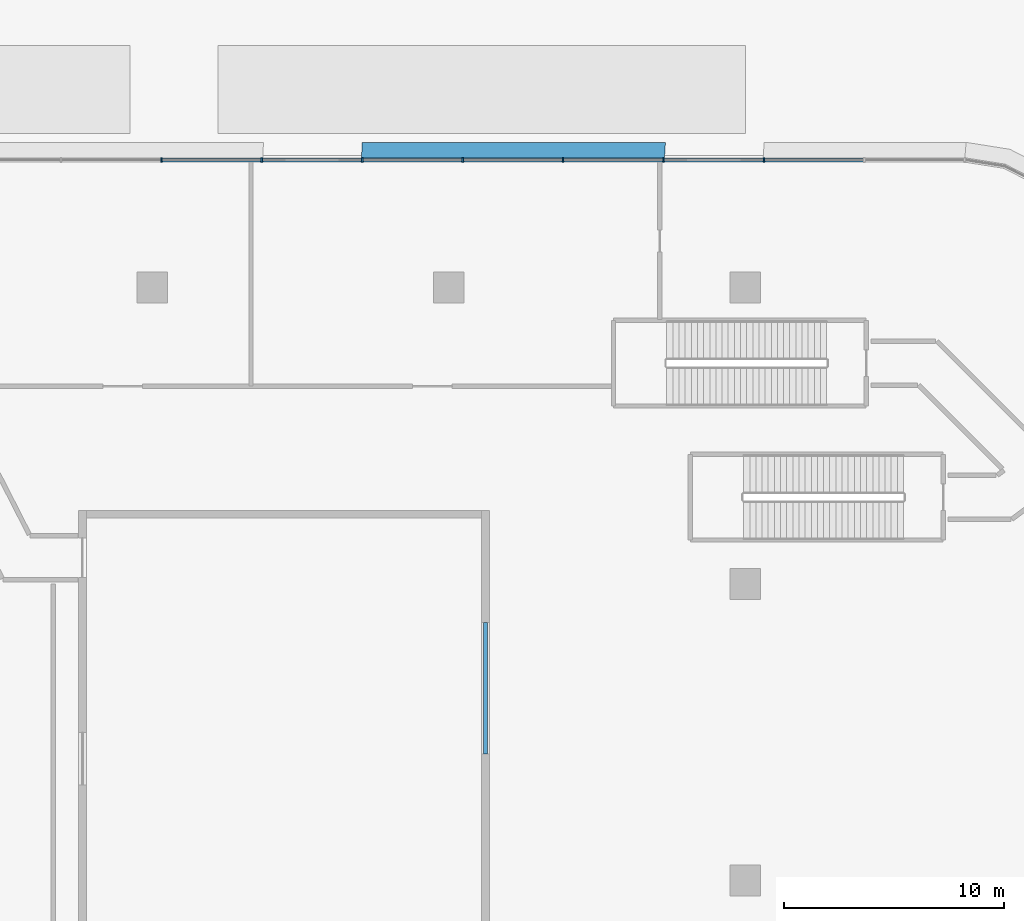
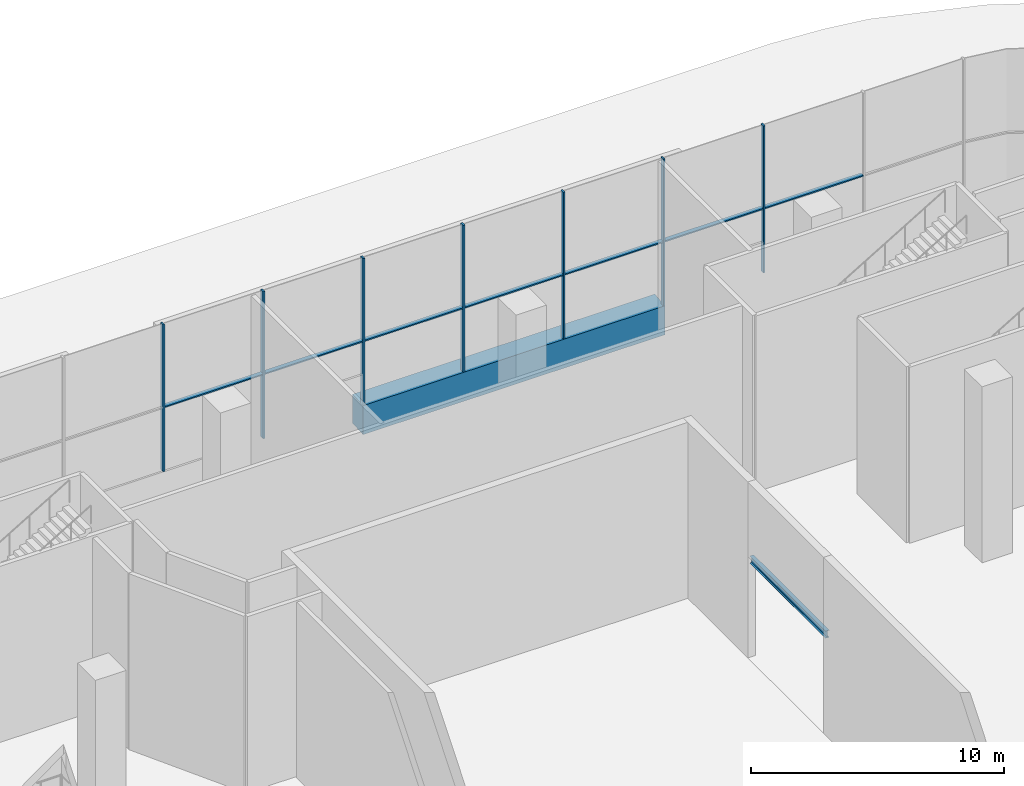
# One storey, part 11 of 54: 15 members, 1 beam, 1 element without a shape of its own.
"""IFC4 building model written with IfcOpenShell, lengths in metres."""

from ifc_helpers import new_model, si_unit, direction, frame, origin, origin_2d, place, context, subcontext, project, spatial, polyline, rectangle, i_section, outline, extrude, material, layer, layer_set, material_profile, profile_set, type_object, element, aggregate, save


model = new_model("IFC4")

# Units and contexts
model_context = context("Model", 3, precision=1e-05, world=origin(), true_north=direction((0.0, 1.0)))
body_context = subcontext(model_context, "Body", "Model", "MODEL_VIEW")
ifc_project = project(units=[si_unit("LENGTHUNIT", "METRE"), si_unit("AREAUNIT", "SQUARE_METRE"), si_unit("VOLUMEUNIT", "CUBIC_METRE"), si_unit("PLANEANGLEUNIT", "RADIAN"), si_unit("MASSUNIT", "GRAM", prefix="KILO")], contexts=[model_context])

# Site, building, storey
site_placement = place(None, origin())
site = spatial("IfcSite", under=ifc_project, at=site_placement, CompositionType="ELEMENT")
building_placement = place(site_placement, origin())
building = spatial("IfcBuilding", under=site, at=building_placement, Name="Tamarind Cross Interchange Tower", CompositionType="ELEMENT")
storey_placement = place(building_placement, origin())
storey = spatial("IfcBuildingStorey", under=building, at=storey_placement, Name="L00", CompositionType="ELEMENT", Elevation=0.0)

# Curtain wall, members
ifc_material_1 = material(Name="Aluminium 6063-T6", Category="aluminium")
ifc_layer = layer(ifc_material_1, 0.199951171875)
ifc_layer_set = layer_set([ifc_layer], Name="Aluminium 6063-T6")
curtain_wall_type = type_object("IfcCurtainWallType", Name="Podium shopfront and station curtain wall", PredefinedType="NOTDEFINED", material=ifc_layer_set)
curtain_wall_placement = place(storey_placement, origin())
curtain_wall = element("IfcCurtainWall", 1, at=curtain_wall_placement, inside=storey, type_object=curtain_wall_type, Name="CWS-L00-02", PredefinedType="NOTDEFINED")
ifc_material_2 = material(Name="Aluminium and insulated spandrel panel", Category="aluminium")
member_type_1 = type_object("IfcMemberType", Name="Floor-edge blade transom", PredefinedType="USERDEFINED", material=ifc_material_2)
member_1_placement = place(storey_placement, origin())
member_1 = element("IfcMember", 2, at=member_1_placement, type_object=member_type_1, Name="CWT-L00-02-1", ObjectType="TRANSOM", PredefinedType="USERDEFINED", context=body_context, shape_type="SweptSolid", body=[
    extrude(outline(polyline([(50.30712890625, 59.699951171875), (36.51806640625, 59.699951171875), (36.558349609375, 60.60009765625), (50.36279296875, 60.60009765625), (50.30712890625, 59.699951171875)])), origin(), (0.0, 0.0, 1.0), 1.39990234375),
])
ifc_material_profile_1 = material_profile(ifc_material_1, rectangle(XDim=0.080078125, YDim=0.199951171875, at=origin_2d()), Name="Mullion CW3")
ifc_profile_set_1 = profile_set([ifc_material_profile_1], Name="Aluminium 6063-T6")
member_type_2 = type_object("IfcMemberType", Name="Mullion CW3", PredefinedType="MULLION", material=ifc_profile_set_1)
member_2_placement = place(storey_placement, frame((54.84375, 59.800048828125, 1.39990234375), z_axis=(0.0, 0.0, 1.0), x_axis=(-1.0, 0.0, 0.0)))
member_2 = element("IfcMember", 3, at=member_2_placement, type_object=member_type_2, Name="CWM-L00-02-02", PredefinedType="MULLION", context=body_context, shape_type="SweptSolid", body=[
    extrude(rectangle(XDim=0.080078125, YDim=0.199951171875, at=origin_2d()), origin(), (0.0, 0.0, 1.0), 7.10009765625),
])
member_3_placement = place(storey_placement, frame((50.2734375, 59.800048828125, 1.39990234375), z_axis=(0.0, 0.0, 1.0), x_axis=(-1.0, 0.0, 0.0)))
member_3 = element("IfcMember", 4, at=member_3_placement, type_object=member_type_2, Name="CWM-L00-02-03", PredefinedType="MULLION", context=body_context, shape_type="SweptSolid", body=[
    extrude(rectangle(XDim=0.080078125, YDim=0.199951171875, at=origin_2d()), origin(), (0.0, 0.0, 1.0), 7.10009765625),
])
member_4_placement = place(storey_placement, frame((45.703125, 59.800048828125, 1.39990234375), z_axis=(0.0, 0.0, 1.0), x_axis=(-1.0, 0.0, 0.0)))
member_4 = element("IfcMember", 5, at=member_4_placement, type_object=member_type_2, Name="CWM-L00-02-04", PredefinedType="MULLION", context=body_context, shape_type="SweptSolid", body=[
    extrude(rectangle(XDim=0.080078125, YDim=0.199951171875, at=origin_2d()), origin(), (0.0, 0.0, 1.0), 7.10009765625),
])
member_5_placement = place(storey_placement, frame((41.1328125, 59.800048828125, 1.39990234375), z_axis=(0.0, 0.0, 1.0), x_axis=(-1.0, 0.0, 0.0)))
member_5 = element("IfcMember", 6, at=member_5_placement, type_object=member_type_2, Name="CWM-L00-02-05", PredefinedType="MULLION", context=body_context, shape_type="SweptSolid", body=[
    extrude(rectangle(XDim=0.080078125, YDim=0.199951171875, at=origin_2d()), origin(), (0.0, 0.0, 1.0), 7.10009765625),
])
member_6_placement = place(storey_placement, frame((36.5625, 59.800048828125, 1.39990234375), z_axis=(0.0, 0.0, 1.0), x_axis=(-1.0, 0.0, 0.0)))
member_6 = element("IfcMember", 7, at=member_6_placement, type_object=member_type_2, Name="CWM-L00-02-06", PredefinedType="MULLION", context=body_context, shape_type="SweptSolid", body=[
    extrude(rectangle(XDim=0.080078125, YDim=0.199951171875, at=origin_2d()), origin(), (0.0, 0.0, 1.0), 7.10009765625),
])
member_7_placement = place(storey_placement, frame((31.9921875, 59.800048828125, 1.39990234375), z_axis=(0.0, 0.0, 1.0), x_axis=(-1.0, 0.0, 0.0)))
member_7 = element("IfcMember", 8, at=member_7_placement, type_object=member_type_2, Name="CWM-L00-02-07", PredefinedType="MULLION", context=body_context, shape_type="SweptSolid", body=[
    extrude(rectangle(XDim=0.080078125, YDim=0.199951171875, at=origin_2d()), origin(), (0.0, 0.0, 1.0), 7.10009765625),
])
member_8_placement = place(storey_placement, frame((27.421875, 59.800048828125, 1.39990234375), z_axis=(0.0, 0.0, 1.0), x_axis=(-1.0, 0.0, 0.0)))
member_8 = element("IfcMember", 9, at=member_8_placement, type_object=member_type_2, Name="CWM-L00-02-08", PredefinedType="MULLION", context=body_context, shape_type="SweptSolid", body=[
    extrude(rectangle(XDim=0.080078125, YDim=0.199951171875, at=origin_2d()), origin(), (0.0, 0.0, 1.0), 7.10009765625),
])
member_type_3 = type_object("IfcMemberType", Name="Podium intermediate transom", PredefinedType="USERDEFINED", material=ifc_material_1)
member_9_placement = place(storey_placement, frame((0.0, 0.0, 4.469970703125)))
member_9 = element("IfcMember", 10, at=member_9_placement, type_object=member_type_3, Name="CWT-L00-02-I0-01", ObjectType="TRANSOM", PredefinedType="USERDEFINED", context=body_context, shape_type="SweptSolid", body=[
    extrude(outline(polyline([(59.3740234375, 59.699951171875), (54.883544921875, 59.699951171875), (54.883544921875, 59.89990234375), (59.3740234375, 59.89990234375), (59.3740234375, 59.699951171875)])), origin(), (0.0, 0.0, 1.0), 0.06005859375),
])
member_10_placement = place(storey_placement, frame((0.0, 0.0, 4.469970703125)))
member_10 = element("IfcMember", 11, at=member_10_placement, type_object=member_type_3, Name="CWT-L00-02-I0-02", ObjectType="TRANSOM", PredefinedType="USERDEFINED", context=body_context, shape_type="SweptSolid", body=[
    extrude(outline(polyline([(54.8037109375, 59.699951171875), (50.313232421875, 59.699951171875), (50.313232421875, 59.89990234375), (54.8037109375, 59.89990234375), (54.8037109375, 59.699951171875)])), origin(), (0.0, 0.0, 1.0), 0.06005859375),
])
member_11_placement = place(storey_placement, frame((0.0, 0.0, 4.469970703125)))
member_11 = element("IfcMember", 12, at=member_11_placement, type_object=member_type_3, Name="CWT-L00-02-I0-03", ObjectType="TRANSOM", PredefinedType="USERDEFINED", context=body_context, shape_type="SweptSolid", body=[
    extrude(outline(polyline([(50.2333984375, 59.699951171875), (45.7431640625, 59.699951171875), (45.7431640625, 59.89990234375), (50.2333984375, 59.89990234375), (50.2333984375, 59.699951171875)])), origin(), (0.0, 0.0, 1.0), 0.06005859375),
])
member_12_placement = place(storey_placement, frame((0.0, 0.0, 4.469970703125)))
member_12 = element("IfcMember", 13, at=member_12_placement, type_object=member_type_3, Name="CWT-L00-02-I0-04", ObjectType="TRANSOM", PredefinedType="USERDEFINED", context=body_context, shape_type="SweptSolid", body=[
    extrude(outline(polyline([(45.6630859375, 59.699951171875), (41.1728515625, 59.699951171875), (41.1728515625, 59.89990234375), (45.6630859375, 59.89990234375), (45.6630859375, 59.699951171875)])), origin(), (0.0, 0.0, 1.0), 0.06005859375),
])
member_13_placement = place(storey_placement, frame((0.0, 0.0, 4.469970703125)))
member_13 = element("IfcMember", 14, at=member_13_placement, type_object=member_type_3, Name="CWT-L00-02-I0-05", ObjectType="TRANSOM", PredefinedType="USERDEFINED", context=body_context, shape_type="SweptSolid", body=[
    extrude(outline(polyline([(41.0927734375, 59.699951171875), (36.6025390625, 59.699951171875), (36.6025390625, 59.89990234375), (41.0927734375, 59.89990234375), (41.0927734375, 59.699951171875)])), origin(), (0.0, 0.0, 1.0), 0.06005859375),
])
member_14_placement = place(storey_placement, frame((0.0, 0.0, 4.469970703125)))
member_14 = element("IfcMember", 15, at=member_14_placement, type_object=member_type_3, Name="CWT-L00-02-I0-06", ObjectType="TRANSOM", PredefinedType="USERDEFINED", context=body_context, shape_type="SweptSolid", body=[
    extrude(outline(polyline([(36.5224609375, 59.699951171875), (32.0322265625, 59.699951171875), (32.0322265625, 59.89990234375), (36.5224609375, 59.89990234375), (36.5224609375, 59.699951171875)])), origin(), (0.0, 0.0, 1.0), 0.06005859375),
])
member_15_placement = place(storey_placement, frame((0.0, 0.0, 4.469970703125)))
member_15 = element("IfcMember", 16, at=member_15_placement, type_object=member_type_3, Name="CWT-L00-02-I0-07", ObjectType="TRANSOM", PredefinedType="USERDEFINED", context=body_context, shape_type="SweptSolid", body=[
    extrude(outline(polyline([(31.9521484375, 59.699951171875), (27.4619140625, 59.699951171875), (27.4619140625, 59.89990234375), (31.9521484375, 59.89990234375), (31.9521484375, 59.699951171875)])), origin(), (0.0, 0.0, 1.0), 0.06005859375),
])
aggregate(curtain_wall, [member_2, member_3, member_4, member_5, member_6, member_7, member_8, member_9, member_10, member_11, member_12, member_13, member_14, member_15, member_1])

# Beam
ifc_material_3 = material(Name="Steel Q355B", Category="steel")
ifc_material_profile_2 = material_profile(ifc_material_3, i_section(OverallWidth=0.174072265625, OverallDepth=0.345947265625, WebThickness=0.006103515625, FlangeThickness=0.009033203125, FilletRadius=0.012939453125, at=origin_2d()), Name="HN 346x174x6x9")
ifc_profile_set_2 = profile_set([ifc_material_profile_2], Name="Steel Q355B")
beam_type = type_object("IfcBeamType", Name="Portal lintel beam HN 346x174x6x9 Q355B", PredefinedType="BEAM", material=ifc_profile_set_2)
beam_placement = place(storey_placement, frame((42.175048828125, 32.75, 4.72705078125), z_axis=(0.0, 1.0, 0.0), x_axis=(-1.0, 0.0, 0.0)))
element("IfcBeam", 17, at=beam_placement, inside=storey, type_object=beam_type, Name="Lintel over the NE fire lane portal", PredefinedType="BEAM", context=body_context, shape_type="SweptSolid", body=[
    extrude(i_section(OverallWidth=0.174072265625, OverallDepth=0.345947265625, WebThickness=0.006103515625, FlangeThickness=0.009033203125, FilletRadius=0.012939453125, at=origin_2d()), origin(), (0.0, 0.0, 1.0), 6.0),
])

save(model, "model.ifc")
